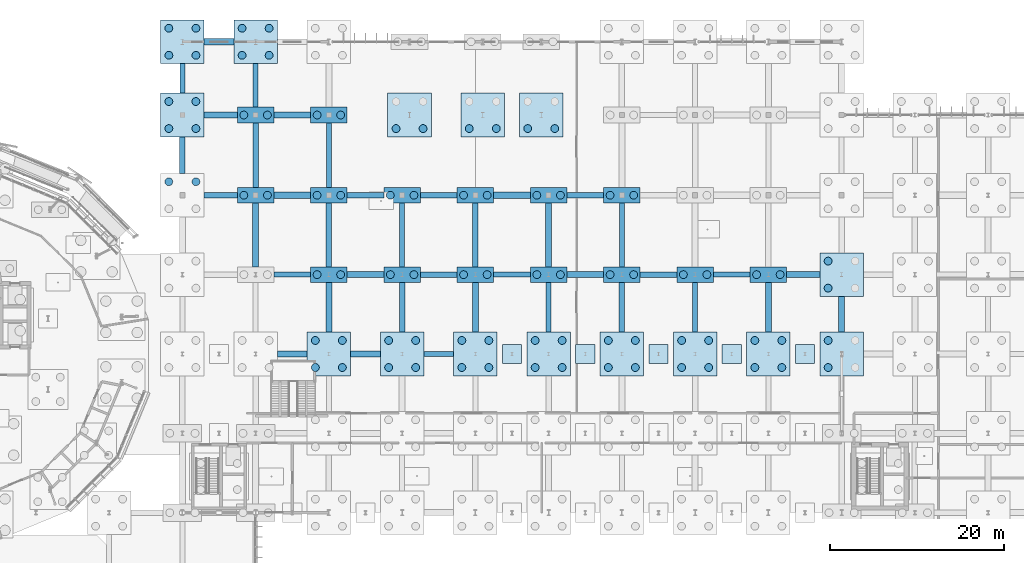
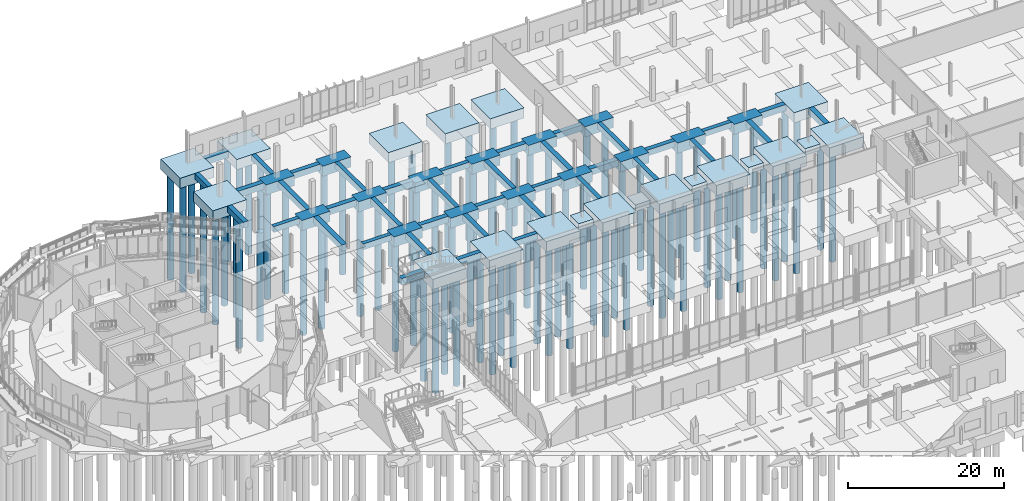
# One storey, part 5 of 119: 82 piles, 74 footings.
"""IFC4 building model written with IfcOpenShell, lengths in metres."""

from ifc_helpers import new_model, si_unit, derived_unit, direction, frame, origin, origin_2d, place, context, subcontext, project, spatial, rectangle, circle, extrude, material, layer, layer_set, material_profile, profile_set, type_object, element, save


model = new_model("IFC4")

# Units and contexts
model_context = context("Model", 3, precision=1e-05, world=origin(), true_north=direction((0.0, 1.0)))
body_context = subcontext(model_context, "Body", "Model", "MODEL_VIEW")
ifc_project = project(units=[si_unit("LENGTHUNIT", "METRE"), si_unit("AREAUNIT", "SQUARE_METRE"), si_unit("VOLUMEUNIT", "CUBIC_METRE"), si_unit("PLANEANGLEUNIT", "RADIAN"), si_unit("MASSUNIT", "GRAM", prefix="KILO"), derived_unit("THERMALTRANSMITTANCEUNIT", [(si_unit("MASSUNIT", "GRAM", prefix="KILO"), 1), (si_unit("TIMEUNIT", "SECOND"), -3), (si_unit("THERMODYNAMICTEMPERATUREUNIT", "KELVIN"), -1)])], contexts=[model_context])

# Site, building, storey
site_placement = place(None, origin())
site = spatial("IfcSite", under=ifc_project, at=site_placement, CompositionType="ELEMENT")
building_placement = place(site_placement, origin())
building = spatial("IfcBuilding", under=site, at=building_placement, Name="Makaiwela Harbour Ferry Terminal", CompositionType="ELEMENT")
storey_placement = place(building_placement, origin())
storey = spatial("IfcBuildingStorey", under=building, at=storey_placement, Name="L00", CompositionType="ELEMENT", Elevation=0.0)

# Footings
ifc_material = material(Name="Concrete f'c 45 MPa (6500 psi)", Category="concrete")
ifc_layer_1 = layer(ifc_material, 1.0)
ifc_layer_set_1 = layer_set([ifc_layer_1], Name="Concrete f'c 45 MPa (6500 psi)")
footing_type_1 = type_object("IfcFootingType", Name="FND-PAD-01", PredefinedType="PAD_FOOTING", material=ifc_layer_set_1)
for number, where, z_axis, x_axis, name in (
    (1, (100.800048828125, 67.60009765625, -1.0), (0.0, 0.0, 1.0), (1.0, 0.0, 0.0), "Foundation Footing PF-01"),
    (2, (109.199951171875, 67.60009765625, -1.0), (0.0, 0.0, 1.0), (1.0, 0.0, 0.0), "Foundation Footing PF-01"),
    (3, (117.60009765625, 67.60009765625, -1.0), (0.0, 0.0, 1.0), (1.0, 0.0, 0.0), "Foundation Footing PF-01"),
    (4, (126.0, 67.60009765625, -1.0), (0.0, 0.0, 1.0), (1.0, 0.0, 0.0), "Foundation Footing PF-01"),
    (5, (134.39990234375, 67.60009765625, -1.0), (0.0, 0.0, 1.0), (1.0, 0.0, 0.0), "Foundation Footing PF-01"),
):
    element("IfcFooting", number, at=place(storey_placement, frame(where, z_axis=z_axis, x_axis=x_axis)), inside=storey, type_object=footing_type_1, Name=name, PredefinedType="PAD_FOOTING", context=body_context, shape_type="SweptSolid", body=[
        extrude(rectangle(XDim=2.199951171875, YDim=2.199951171875, at=origin_2d()), origin(), (0.0, 0.0, 1.0), 1.0),
    ])
ifc_layer_2 = layer(ifc_material, 1.60009765625)
ifc_layer_set_2 = layer_set([ifc_layer_2], Name="Concrete f'c 45 MPa (6500 psi)")
footing_type_2 = type_object("IfcFootingType", Name="FND-PC-01", PredefinedType="PILE_CAP", material=ifc_layer_set_2)
for number, where, z_axis, x_axis, name in (
    (6, (71.39990234375, 85.800048828125, -1.60009765625), (0.0, 0.0, 1.0), (1.0, 0.0, 0.0), "Foundation Footing PC-01"),
    (7, (71.39990234375, 95.0, -1.60009765625), (0.0, 0.0, 1.0), (1.0, 0.0, 0.0), "Foundation Footing PC-01"),
    (8, (79.800048828125, 76.699951171875, -1.60009765625), (0.0, 0.0, 1.0), (1.0, 0.0, 0.0), "Foundation Footing PC-01"),
    (9, (79.800048828125, 85.800048828125, -1.60009765625), (0.0, 0.0, 1.0), (1.0, 0.0, 0.0), "Foundation Footing PC-01"),
    (10, (79.800048828125, 95.0, -1.60009765625), (0.0, 0.0, 1.0), (1.0, 0.0, 0.0), "Foundation Footing PC-01"),
    (11, (88.199951171875, 76.699951171875, -1.60009765625), (0.0, 0.0, 1.0), (1.0, 0.0, 0.0), "Foundation Footing PC-01"),
    (12, (88.199951171875, 85.800048828125, -1.60009765625), (0.0, 0.0, 1.0), (1.0, 0.0, 0.0), "Foundation Footing PC-01"),
    (13, (96.60009765625, 76.699951171875, -1.60009765625), (0.0, 0.0, 1.0), (1.0, 0.0, 0.0), "Foundation Footing PC-01"),
    (14, (96.60009765625, 85.800048828125, -1.60009765625), (0.0, 0.0, 1.0), (1.0, 0.0, 0.0), "Foundation Footing PC-01"),
    (15, (105.0, 76.699951171875, -1.60009765625), (0.0, 0.0, 1.0), (1.0, 0.0, 0.0), "Foundation Footing PC-01"),
    (16, (105.0, 85.800048828125, -1.60009765625), (0.0, 0.0, 1.0), (1.0, 0.0, 0.0), "Foundation Footing PC-01"),
    (17, (113.39990234375, 76.699951171875, -1.60009765625), (0.0, 0.0, 1.0), (1.0, 0.0, 0.0), "Foundation Footing PC-01"),
    (18, (113.39990234375, 85.800048828125, -1.60009765625), (0.0, 0.0, 1.0), (1.0, 0.0, 0.0), "Foundation Footing PC-01"),
    (19, (121.800048828125, 76.699951171875, -1.60009765625), (0.0, 0.0, 1.0), (1.0, 0.0, 0.0), "Foundation Footing PC-01"),
    (20, (130.199951171875, 76.699951171875, -1.60009765625), (0.0, 0.0, 1.0), (1.0, 0.0, 0.0), "Foundation Footing PC-01"),
):
    element("IfcFooting", number, at=place(storey_placement, frame(where, z_axis=z_axis, x_axis=x_axis)), inside=storey, type_object=footing_type_2, Name=name, PredefinedType="PILE_CAP", context=body_context, shape_type="SweptSolid", body=[
        extrude(rectangle(XDim=4.199951171875, YDim=1.800048828125, at=origin_2d()), origin(), (0.0, 0.0, 1.0), 1.60009765625),
    ])
ifc_layer_3 = layer(ifc_material, 1.60009765625)
ifc_layer_set_3 = layer_set([ifc_layer_3], Name="Concrete f'c 45 MPa (6500 psi)")
footing_type_3 = type_object("IfcFootingType", Name="FND-PC-04", PredefinedType="PILE_CAP", material=ifc_layer_set_3)
for number, where, z_axis, x_axis, name in (
    (21, (89.050048828125, 95.0, -1.60009765625), (0.0, 0.0, 1.0), (1.0, 0.0, 0.0), "Foundation Footing PC-04"),
    (22, (97.449951171875, 95.0, -1.60009765625), (0.0, 0.0, 1.0), (1.0, 0.0, 0.0), "Foundation Footing PC-04"),
    (23, (104.14990234375, 95.0, -1.60009765625), (0.0, 0.0, 1.0), (1.0, 0.0, 0.0), "Foundation Footing PC-04"),
    (24, (63.0, 95.0, -1.60009765625), (0.0, 0.0, 1.0), (1.0, 0.0, 0.0), "Foundation Footing PC-04"),
    (25, (63.0, 103.39990234375, -1.60009765625), (0.0, 0.0, 1.0), (1.0, 0.0, 0.0), "Foundation Footing PC-04"),
    (26, (71.39990234375, 103.39990234375, -1.60009765625), (0.0, 0.0, 1.0), (1.0, 0.0, 0.0), "Foundation Footing PC-04"),
    (27, (79.800048828125, 67.60009765625, -1.60009765625), (0.0, 0.0, 1.0), (1.0, 0.0, 0.0), "Foundation Footing PC-04"),
    (28, (88.199951171875, 67.60009765625, -1.60009765625), (0.0, 0.0, 1.0), (1.0, 0.0, 0.0), "Foundation Footing PC-04"),
    (29, (96.60009765625, 67.60009765625, -1.60009765625), (0.0, 0.0, 1.0), (1.0, 0.0, 0.0), "Foundation Footing PC-04"),
    (30, (105.0, 67.60009765625, -1.60009765625), (0.0, 0.0, 1.0), (1.0, 0.0, 0.0), "Foundation Footing PC-04"),
    (31, (113.39990234375, 67.60009765625, -1.60009765625), (0.0, 0.0, 1.0), (1.0, 0.0, 0.0), "Foundation Footing PC-04"),
    (32, (121.800048828125, 67.60009765625, -1.60009765625), (0.0, 0.0, 1.0), (1.0, 0.0, 0.0), "Foundation Footing PC-04"),
    (33, (130.199951171875, 67.60009765625, -1.60009765625), (0.0, 0.0, 1.0), (1.0, 0.0, 0.0), "Foundation Footing PC-04"),
    (34, (138.60009765625, 67.60009765625, -1.60009765625), (0.0, 0.0, 1.0), (1.0, 0.0, 0.0), "Foundation Footing PC-04"),
    (35, (138.60009765625, 76.699951171875, -1.60009765625), (0.0, 0.0, 1.0), (1.0, 0.0, 0.0), "Foundation Footing PC-04"),
):
    element("IfcFooting", number, at=place(storey_placement, frame(where, z_axis=z_axis, x_axis=x_axis)), inside=storey, type_object=footing_type_3, Name=name, PredefinedType="PILE_CAP", context=body_context, shape_type="SweptSolid", body=[
        extrude(rectangle(XDim=5.0, YDim=5.0, at=origin_2d()), origin(), (0.0, 0.0, 1.0), 1.60009765625),
    ])

# Piles
ifc_material_profile = material_profile(ifc_material, circle(Radius=0.449951171875, at=origin_2d()), Name="PILE-D900")
ifc_profile_set = profile_set([ifc_material_profile], Name="Concrete f'c 45 MPa (6500 psi)")
pile_type = type_object("IfcPileType", Name="FND-PIL-D900", PredefinedType="BORED", material=ifc_profile_set)
for number, where, z_axis, x_axis, name in (
    (36, (87.5, 93.449951171875, -1.449951171875), (0.0, 0.0, -1.0), (1.0, 0.0, 0.0), "Marine Pile MP-01"),
    (37, (90.60009765625, 93.449951171875, -1.449951171875), (0.0, 0.0, -1.0), (1.0, 0.0, 0.0), "Marine Pile MP-01"),
    (38, (95.89990234375, 93.449951171875, -1.449951171875), (0.0, 0.0, -1.0), (1.0, 0.0, 0.0), "Marine Pile MP-01"),
    (39, (99.0, 93.449951171875, -1.449951171875), (0.0, 0.0, -1.0), (1.0, 0.0, 0.0), "Marine Pile MP-01"),
    (40, (102.60009765625, 93.449951171875, -1.449951171875), (0.0, 0.0, -1.0), (1.0, 0.0, 0.0), "Marine Pile MP-01"),
    (41, (105.699951171875, 93.449951171875, -1.449951171875), (0.0, 0.0, -1.0), (1.0, 0.0, 0.0), "Marine Pile MP-01"),
    (42, (61.449951171875, 87.35009765625, -1.449951171875), (0.0, 0.0, -1.0), (1.0, 0.0, 0.0), "Marine Pile MP-01"),
    (43, (64.550048828125, 87.35009765625, -1.449951171875), (0.0, 0.0, -1.0), (1.0, 0.0, 0.0), "Marine Pile MP-01"),
    (44, (61.449951171875, 93.449951171875, -1.449951171875), (0.0, 0.0, -1.0), (1.0, 0.0, 0.0), "Marine Pile MP-01"),
    (45, (64.550048828125, 93.449951171875, -1.449951171875), (0.0, 0.0, -1.0), (1.0, 0.0, 0.0), "Marine Pile MP-01"),
    (46, (61.449951171875, 96.550048828125, -1.449951171875), (0.0, 0.0, -1.0), (1.0, 0.0, 0.0), "Marine Pile MP-01"),
    (47, (64.550048828125, 96.550048828125, -1.449951171875), (0.0, 0.0, -1.0), (1.0, 0.0, 0.0), "Marine Pile MP-01"),
    (48, (61.449951171875, 101.85009765625, -1.449951171875), (0.0, 0.0, -1.0), (1.0, 0.0, 0.0), "Marine Pile MP-01"),
    (49, (64.550048828125, 101.85009765625, -1.449951171875), (0.0, 0.0, -1.0), (1.0, 0.0, 0.0), "Marine Pile MP-01"),
    (50, (61.449951171875, 104.949951171875, -1.449951171875), (0.0, 0.0, -1.0), (1.0, 0.0, 0.0), "Marine Pile MP-01"),
    (51, (64.550048828125, 104.949951171875, -1.449951171875), (0.0, 0.0, -1.0), (1.0, 0.0, 0.0), "Marine Pile MP-01"),
    (52, (70.050048828125, 85.800048828125, -1.449951171875), (0.0, 0.0, -1.0), (1.0, 0.0, 0.0), "Marine Pile MP-01"),
    (53, (72.75, 85.800048828125, -1.449951171875), (0.0, 0.0, -1.0), (1.0, 0.0, 0.0), "Marine Pile MP-01"),
    (54, (70.050048828125, 95.0, -1.449951171875), (0.0, 0.0, -1.0), (1.0, 0.0, 0.0), "Marine Pile MP-01"),
    (55, (72.75, 95.0, -1.449951171875), (0.0, 0.0, -1.0), (1.0, 0.0, 0.0), "Marine Pile MP-01"),
    (56, (69.85009765625, 101.85009765625, -1.449951171875), (0.0, 0.0, -1.0), (1.0, 0.0, 0.0), "Marine Pile MP-01"),
    (57, (72.949951171875, 101.85009765625, -1.449951171875), (0.0, 0.0, -1.0), (1.0, 0.0, 0.0), "Marine Pile MP-01"),
    (58, (69.85009765625, 104.949951171875, -1.449951171875), (0.0, 0.0, -1.0), (1.0, 0.0, 0.0), "Marine Pile MP-01"),
    (59, (72.949951171875, 104.949951171875, -1.449951171875), (0.0, 0.0, -1.0), (1.0, 0.0, 0.0), "Marine Pile MP-01"),
    (60, (78.25, 66.050048828125, -1.449951171875), (0.0, 0.0, -1.0), (1.0, 0.0, 0.0), "Marine Pile MP-01"),
    (61, (81.35009765625, 66.050048828125, -1.449951171875), (0.0, 0.0, -1.0), (1.0, 0.0, 0.0), "Marine Pile MP-01"),
    (62, (78.25, 69.14990234375, -1.449951171875), (0.0, 0.0, -1.0), (1.0, 0.0, 0.0), "Marine Pile MP-01"),
    (63, (81.35009765625, 69.14990234375, -1.449951171875), (0.0, 0.0, -1.0), (1.0, 0.0, 0.0), "Marine Pile MP-01"),
    (64, (78.449951171875, 76.699951171875, -1.449951171875), (0.0, 0.0, -1.0), (1.0, 0.0, 0.0), "Marine Pile MP-01"),
    (65, (81.14990234375, 76.699951171875, -1.449951171875), (0.0, 0.0, -1.0), (1.0, 0.0, 0.0), "Marine Pile MP-01"),
    (66, (78.449951171875, 85.800048828125, -1.449951171875), (0.0, 0.0, -1.0), (1.0, 0.0, 0.0), "Marine Pile MP-01"),
    (67, (81.14990234375, 85.800048828125, -1.449951171875), (0.0, 0.0, -1.0), (1.0, 0.0, 0.0), "Marine Pile MP-01"),
    (68, (78.449951171875, 95.0, -1.449951171875), (0.0, 0.0, -1.0), (1.0, 0.0, 0.0), "Marine Pile MP-01"),
    (69, (81.14990234375, 95.0, -1.449951171875), (0.0, 0.0, -1.0), (1.0, 0.0, 0.0), "Marine Pile MP-01"),
    (70, (86.64990234375, 66.050048828125, -1.449951171875), (0.0, 0.0, -1.0), (1.0, 0.0, 0.0), "Marine Pile MP-01"),
    (71, (89.75, 66.050048828125, -1.449951171875), (0.0, 0.0, -1.0), (1.0, 0.0, 0.0), "Marine Pile MP-01"),
    (72, (86.64990234375, 69.14990234375, -1.449951171875), (0.0, 0.0, -1.0), (1.0, 0.0, 0.0), "Marine Pile MP-01"),
    (73, (89.75, 69.14990234375, -1.449951171875), (0.0, 0.0, -1.0), (1.0, 0.0, 0.0), "Marine Pile MP-01"),
    (74, (86.85009765625, 76.699951171875, -1.449951171875), (0.0, 0.0, -1.0), (1.0, 0.0, 0.0), "Marine Pile MP-01"),
    (75, (89.550048828125, 76.699951171875, -1.449951171875), (0.0, 0.0, -1.0), (1.0, 0.0, 0.0), "Marine Pile MP-01"),
    (76, (86.85009765625, 85.800048828125, -1.449951171875), (0.0, 0.0, -1.0), (1.0, 0.0, 0.0), "Marine Pile MP-01"),
    (77, (89.550048828125, 85.800048828125, -1.449951171875), (0.0, 0.0, -1.0), (1.0, 0.0, 0.0), "Marine Pile MP-01"),
    (78, (95.050048828125, 66.050048828125, -1.449951171875), (0.0, 0.0, -1.0), (1.0, 0.0, 0.0), "Marine Pile MP-01"),
    (79, (98.14990234375, 66.050048828125, -1.449951171875), (0.0, 0.0, -1.0), (1.0, 0.0, 0.0), "Marine Pile MP-01"),
    (80, (95.050048828125, 69.14990234375, -1.449951171875), (0.0, 0.0, -1.0), (1.0, 0.0, 0.0), "Marine Pile MP-01"),
    (81, (98.14990234375, 69.14990234375, -1.449951171875), (0.0, 0.0, -1.0), (1.0, 0.0, 0.0), "Marine Pile MP-01"),
    (82, (95.25, 76.699951171875, -1.449951171875), (0.0, 0.0, -1.0), (1.0, 0.0, 0.0), "Marine Pile MP-01"),
    (83, (97.949951171875, 76.699951171875, -1.449951171875), (0.0, 0.0, -1.0), (1.0, 0.0, 0.0), "Marine Pile MP-01"),
    (84, (95.25, 85.800048828125, -1.449951171875), (0.0, 0.0, -1.0), (1.0, 0.0, 0.0), "Marine Pile MP-01"),
    (85, (97.949951171875, 85.800048828125, -1.449951171875), (0.0, 0.0, -1.0), (1.0, 0.0, 0.0), "Marine Pile MP-01"),
    (86, (103.449951171875, 66.050048828125, -1.449951171875), (0.0, 0.0, -1.0), (1.0, 0.0, 0.0), "Marine Pile MP-01"),
    (87, (106.550048828125, 66.050048828125, -1.449951171875), (0.0, 0.0, -1.0), (1.0, 0.0, 0.0), "Marine Pile MP-01"),
    (88, (103.449951171875, 69.14990234375, -1.449951171875), (0.0, 0.0, -1.0), (1.0, 0.0, 0.0), "Marine Pile MP-01"),
    (89, (106.550048828125, 69.14990234375, -1.449951171875), (0.0, 0.0, -1.0), (1.0, 0.0, 0.0), "Marine Pile MP-01"),
    (90, (103.64990234375, 76.699951171875, -1.449951171875), (0.0, 0.0, -1.0), (1.0, 0.0, 0.0), "Marine Pile MP-01"),
    (91, (106.35009765625, 76.699951171875, -1.449951171875), (0.0, 0.0, -1.0), (1.0, 0.0, 0.0), "Marine Pile MP-01"),
    (92, (103.64990234375, 85.800048828125, -1.449951171875), (0.0, 0.0, -1.0), (1.0, 0.0, 0.0), "Marine Pile MP-01"),
    (93, (106.35009765625, 85.800048828125, -1.449951171875), (0.0, 0.0, -1.0), (1.0, 0.0, 0.0), "Marine Pile MP-01"),
    (94, (111.85009765625, 66.050048828125, -1.449951171875), (0.0, 0.0, -1.0), (1.0, 0.0, 0.0), "Marine Pile MP-01"),
    (95, (114.949951171875, 66.050048828125, -1.449951171875), (0.0, 0.0, -1.0), (1.0, 0.0, 0.0), "Marine Pile MP-01"),
    (96, (111.85009765625, 69.14990234375, -1.449951171875), (0.0, 0.0, -1.0), (1.0, 0.0, 0.0), "Marine Pile MP-01"),
    (97, (114.949951171875, 69.14990234375, -1.449951171875), (0.0, 0.0, -1.0), (1.0, 0.0, 0.0), "Marine Pile MP-01"),
    (98, (112.050048828125, 76.699951171875, -1.449951171875), (0.0, 0.0, -1.0), (1.0, 0.0, 0.0), "Marine Pile MP-01"),
    (99, (114.75, 76.699951171875, -1.449951171875), (0.0, 0.0, -1.0), (1.0, 0.0, 0.0), "Marine Pile MP-01"),
    (100, (112.050048828125, 85.800048828125, -1.449951171875), (0.0, 0.0, -1.0), (1.0, 0.0, 0.0), "Marine Pile MP-01"),
    (101, (114.75, 85.800048828125, -1.449951171875), (0.0, 0.0, -1.0), (1.0, 0.0, 0.0), "Marine Pile MP-01"),
    (102, (120.25, 66.050048828125, -1.449951171875), (0.0, 0.0, -1.0), (1.0, 0.0, 0.0), "Marine Pile MP-01"),
    (103, (123.35009765625, 66.050048828125, -1.449951171875), (0.0, 0.0, -1.0), (1.0, 0.0, 0.0), "Marine Pile MP-01"),
    (104, (120.25, 69.14990234375, -1.449951171875), (0.0, 0.0, -1.0), (1.0, 0.0, 0.0), "Marine Pile MP-01"),
    (105, (123.35009765625, 69.14990234375, -1.449951171875), (0.0, 0.0, -1.0), (1.0, 0.0, 0.0), "Marine Pile MP-01"),
    (106, (120.449951171875, 76.699951171875, -1.449951171875), (0.0, 0.0, -1.0), (1.0, 0.0, 0.0), "Marine Pile MP-01"),
    (107, (123.14990234375, 76.699951171875, -1.449951171875), (0.0, 0.0, -1.0), (1.0, 0.0, 0.0), "Marine Pile MP-01"),
    (108, (128.64990234375, 66.050048828125, -1.449951171875), (0.0, 0.0, -1.0), (1.0, 0.0, 0.0), "Marine Pile MP-01"),
    (109, (131.75, 66.050048828125, -1.449951171875), (0.0, 0.0, -1.0), (1.0, 0.0, 0.0), "Marine Pile MP-01"),
    (110, (128.64990234375, 69.14990234375, -1.449951171875), (0.0, 0.0, -1.0), (1.0, 0.0, 0.0), "Marine Pile MP-01"),
    (111, (131.75, 69.14990234375, -1.449951171875), (0.0, 0.0, -1.0), (1.0, 0.0, 0.0), "Marine Pile MP-01"),
    (112, (128.85009765625, 76.699951171875, -1.449951171875), (0.0, 0.0, -1.0), (1.0, 0.0, 0.0), "Marine Pile MP-01"),
    (113, (131.550048828125, 76.699951171875, -1.449951171875), (0.0, 0.0, -1.0), (1.0, 0.0, 0.0), "Marine Pile MP-01"),
    (114, (137.050048828125, 66.050048828125, -1.449951171875), (0.0, 0.0, -1.0), (1.0, 0.0, 0.0), "Marine Pile MP-01"),
    (115, (137.050048828125, 69.14990234375, -1.449951171875), (0.0, 0.0, -1.0), (1.0, 0.0, 0.0), "Marine Pile MP-01"),
    (116, (137.050048828125, 75.14990234375, -1.449951171875), (0.0, 0.0, -1.0), (1.0, 0.0, 0.0), "Marine Pile MP-01"),
    (117, (137.050048828125, 78.25, -1.449951171875), (0.0, 0.0, -1.0), (1.0, 0.0, 0.0), "Marine Pile MP-01"),
):
    element("IfcPile", number, at=place(storey_placement, frame(where, z_axis=z_axis, x_axis=x_axis)), inside=storey, type_object=pile_type, Name=name, PredefinedType="BORED", context=body_context, shape_type="SweptSolid", body=[
        extrude(circle(Radius=0.449951171875, at=origin_2d()), origin(), (0.0, 0.0, 1.0), 17.050048828125),
    ])

# Footings
ifc_layer_4 = layer(ifc_material, 0.89990234375)
ifc_layer_set_4 = layer_set([ifc_layer_4], Name="Concrete f'c 45 MPa (6500 psi)")
footing_type_4 = type_object("IfcFootingType", Name="FND-TB-01", PredefinedType="FOOTING_BEAM", material=ifc_layer_set_4)
footing_1_placement = place(storey_placement, frame((92.39990234375, 67.60009765625, -0.89990234375), z_axis=(0.0, 0.0, 1.0), x_axis=(1.0, 0.0, 0.0)))
element("IfcFooting", 118, at=footing_1_placement, inside=storey, type_object=footing_type_4, Name="Foundation Footing TB-01", PredefinedType="FOOTING_BEAM", context=body_context, shape_type="SweptSolid", body=[
    extrude(rectangle(XDim=3.39990234375, YDim=0.60009765625, at=origin_2d()), origin(), (0.0, 0.0, 1.0), 0.89990234375),
])
for number, where, z_axis, x_axis, name in (
    (119, (75.60009765625, 76.699951171875, -0.89990234375), (0.0, 0.0, 1.0), (1.0, 0.0, 0.0), "Foundation Footing TB-01"),
    (120, (100.800048828125, 76.699951171875, -0.89990234375), (0.0, 0.0, 1.0), (1.0, 0.0, 0.0), "Foundation Footing TB-01"),
    (121, (126.0, 76.699951171875, -0.89990234375), (0.0, 0.0, 1.0), (1.0, 0.0, 0.0), "Foundation Footing TB-01"),
):
    element("IfcFooting", number, at=place(storey_placement, frame(where, z_axis=z_axis, x_axis=x_axis)), inside=storey, type_object=footing_type_4, Name=name, PredefinedType="FOOTING_BEAM", context=body_context, shape_type="SweptSolid", body=[
        extrude(rectangle(XDim=4.199951171875, YDim=0.60009765625, at=origin_2d()), origin(), (0.0, 0.0, 1.0), 0.89990234375),
    ])
footing_2_placement = place(storey_placement, frame((67.39990234375, 85.800048828125, -0.89990234375), z_axis=(0.0, 0.0, 1.0), x_axis=(1.0, 0.0, 0.0)))
element("IfcFooting", 122, at=footing_2_placement, inside=storey, type_object=footing_type_4, Name="Foundation Footing TB-01", PredefinedType="FOOTING_BEAM", context=body_context, shape_type="SweptSolid", body=[
    extrude(rectangle(XDim=3.800048828125, YDim=0.60009765625, at=origin_2d()), origin(), (0.0, 0.0, 1.0), 0.89990234375),
])
footing_3_placement = place(storey_placement, frame((92.39990234375, 85.800048828125, -0.89990234375), z_axis=(0.0, 0.0, 1.0), x_axis=(1.0, 0.0, 0.0)))
element("IfcFooting", 123, at=footing_3_placement, inside=storey, type_object=footing_type_4, Name="Foundation Footing TB-01", PredefinedType="FOOTING_BEAM", context=body_context, shape_type="SweptSolid", body=[
    extrude(rectangle(XDim=4.199951171875, YDim=0.60009765625, at=origin_2d()), origin(), (0.0, 0.0, 1.0), 0.89990234375),
])
footing_4_placement = place(storey_placement, frame((63.0, 99.199951171875, -0.89990234375), z_axis=(0.0, 0.0, 1.0), x_axis=(0.0, 1.0, 0.0)))
element("IfcFooting", 124, at=footing_4_placement, inside=storey, type_object=footing_type_4, Name="Foundation Footing TB-01", PredefinedType="FOOTING_BEAM", context=body_context, shape_type="SweptSolid", body=[
    extrude(rectangle(XDim=3.39990234375, YDim=0.60009765625, at=origin_2d()), origin(), (0.0, 0.0, 1.0), 0.89990234375),
])
footing_5_placement = place(storey_placement, frame((71.39990234375, 98.39990234375, -0.89990234375), z_axis=(0.0, 0.0, 1.0), x_axis=(0.0, 1.0, 0.0)))
element("IfcFooting", 125, at=footing_5_placement, inside=storey, type_object=footing_type_4, Name="Foundation Footing TB-01", PredefinedType="FOOTING_BEAM", context=body_context, shape_type="SweptSolid", body=[
    extrude(rectangle(XDim=5.0, YDim=0.60009765625, at=origin_2d()), origin(), (0.0, 0.0, 1.0), 0.89990234375),
])
footing_6_placement = place(storey_placement, frame((79.800048828125, 90.39990234375, -0.89990234375), z_axis=(0.0, 0.0, 1.0), x_axis=(0.0, 1.0, 0.0)))
element("IfcFooting", 126, at=footing_6_placement, inside=storey, type_object=footing_type_4, Name="Foundation Footing TB-01", PredefinedType="FOOTING_BEAM", context=body_context, shape_type="SweptSolid", body=[
    extrude(rectangle(XDim=7.39990234375, YDim=0.60009765625, at=origin_2d()), origin(), (0.0, 0.0, 1.0), 0.89990234375),
])
footing_7_placement = place(storey_placement, frame((88.199951171875, 81.25, -0.89990234375), z_axis=(0.0, 0.0, 1.0), x_axis=(0.0, 1.0, 0.0)))
element("IfcFooting", 127, at=footing_7_placement, inside=storey, type_object=footing_type_4, Name="Foundation Footing TB-01", PredefinedType="FOOTING_BEAM", context=body_context, shape_type="SweptSolid", body=[
    extrude(rectangle(XDim=7.300048828125, YDim=0.60009765625, at=origin_2d()), origin(), (0.0, 0.0, 1.0), 0.89990234375),
])
footing_8_placement = place(storey_placement, frame((105.0, 72.949951171875, -0.89990234375), z_axis=(0.0, 0.0, 1.0), x_axis=(0.0, 1.0, 0.0)))
element("IfcFooting", 128, at=footing_8_placement, inside=storey, type_object=footing_type_4, Name="Foundation Footing TB-01", PredefinedType="FOOTING_BEAM", context=body_context, shape_type="SweptSolid", body=[
    extrude(rectangle(XDim=5.699951171875, YDim=0.60009765625, at=origin_2d()), origin(), (0.0, 0.0, 1.0), 0.89990234375),
])
footing_9_placement = place(storey_placement, frame((113.39990234375, 81.25, -0.89990234375), z_axis=(0.0, 0.0, 1.0), x_axis=(0.0, 1.0, 0.0)))
element("IfcFooting", 129, at=footing_9_placement, inside=storey, type_object=footing_type_4, Name="Foundation Footing TB-01", PredefinedType="FOOTING_BEAM", context=body_context, shape_type="SweptSolid", body=[
    extrude(rectangle(XDim=7.300048828125, YDim=0.60009765625, at=origin_2d()), origin(), (0.0, 0.0, 1.0), 0.89990234375),
])
footing_10_placement = place(storey_placement, frame((121.800048828125, 72.949951171875, -0.89990234375), z_axis=(0.0, 0.0, 1.0), x_axis=(0.0, 1.0, 0.0)))
element("IfcFooting", 130, at=footing_10_placement, inside=storey, type_object=footing_type_4, Name="Foundation Footing TB-01", PredefinedType="FOOTING_BEAM", context=body_context, shape_type="SweptSolid", body=[
    extrude(rectangle(XDim=5.699951171875, YDim=0.60009765625, at=origin_2d()), origin(), (0.0, 0.0, 1.0), 0.89990234375),
])
ifc_layer_5 = layer(ifc_material, 1.0)
ifc_layer_set_5 = layer_set([ifc_layer_5], Name="Concrete f'c 45 MPa (6500 psi)")
footing_type_5 = type_object("IfcFootingType", Name="FND-TB-02", PredefinedType="FOOTING_BEAM", material=ifc_layer_set_5)
footing_11_placement = place(storey_placement, frame((75.60009765625, 67.60009765625, -1.0), z_axis=(0.0, 0.0, 1.0), x_axis=(1.0, 0.0, 0.0)))
element("IfcFooting", 131, at=footing_11_placement, inside=storey, type_object=footing_type_5, Name="Foundation Footing TB-02", PredefinedType="FOOTING_BEAM", context=body_context, shape_type="SweptSolid", body=[
    extrude(rectangle(XDim=3.39990234375, YDim=0.699951171875, at=origin_2d()), origin(), (0.0, 0.0, 1.0), 1.0),
])
for number, where, z_axis, x_axis, name in (
    (132, (84.0, 76.699951171875, -1.0), (0.0, 0.0, 1.0), (1.0, 0.0, 0.0), "Foundation Footing TB-02"),
    (133, (109.199951171875, 76.699951171875, -1.0), (0.0, 0.0, 1.0), (1.0, 0.0, 0.0), "Foundation Footing TB-02"),
):
    element("IfcFooting", number, at=place(storey_placement, frame(where, z_axis=z_axis, x_axis=x_axis)), inside=storey, type_object=footing_type_5, Name=name, PredefinedType="FOOTING_BEAM", context=body_context, shape_type="SweptSolid", body=[
        extrude(rectangle(XDim=4.199951171875, YDim=0.699951171875, at=origin_2d()), origin(), (0.0, 0.0, 1.0), 1.0),
    ])
footing_12_placement = place(storey_placement, frame((134.199951171875, 76.699951171875, -1.0), z_axis=(0.0, 0.0, 1.0), x_axis=(1.0, 0.0, 0.0)))
element("IfcFooting", 134, at=footing_12_placement, inside=storey, type_object=footing_type_5, Name="Foundation Footing TB-02", PredefinedType="FOOTING_BEAM", context=body_context, shape_type="SweptSolid", body=[
    extrude(rectangle(XDim=3.800048828125, YDim=0.699951171875, at=origin_2d()), origin(), (0.0, 0.0, 1.0), 1.0),
])
for number, where, z_axis, x_axis, name in (
    (135, (75.60009765625, 85.800048828125, -1.0), (0.0, 0.0, 1.0), (1.0, 0.0, 0.0), "Foundation Footing TB-02"),
    (136, (100.800048828125, 85.800048828125, -1.0), (0.0, 0.0, 1.0), (1.0, 0.0, 0.0), "Foundation Footing TB-02"),
):
    element("IfcFooting", number, at=place(storey_placement, frame(where, z_axis=z_axis, x_axis=x_axis)), inside=storey, type_object=footing_type_5, Name=name, PredefinedType="FOOTING_BEAM", context=body_context, shape_type="SweptSolid", body=[
        extrude(rectangle(XDim=4.199951171875, YDim=0.699951171875, at=origin_2d()), origin(), (0.0, 0.0, 1.0), 1.0),
    ])
footing_13_placement = place(storey_placement, frame((67.39990234375, 95.0, -1.0), z_axis=(0.0, 0.0, 1.0), x_axis=(1.0, 0.0, 0.0)))
element("IfcFooting", 137, at=footing_13_placement, inside=storey, type_object=footing_type_5, Name="Foundation Footing TB-02", PredefinedType="FOOTING_BEAM", context=body_context, shape_type="SweptSolid", body=[
    extrude(rectangle(XDim=3.800048828125, YDim=0.699951171875, at=origin_2d()), origin(), (0.0, 0.0, 1.0), 1.0),
])
footing_14_placement = place(storey_placement, frame((67.199951171875, 103.39990234375, -1.0), z_axis=(0.0, 0.0, 1.0), x_axis=(1.0, 0.0, 0.0)))
element("IfcFooting", 138, at=footing_14_placement, inside=storey, type_object=footing_type_5, Name="Foundation Footing TB-02", PredefinedType="FOOTING_BEAM", context=body_context, shape_type="SweptSolid", body=[
    extrude(rectangle(XDim=3.39990234375, YDim=0.699951171875, at=origin_2d()), origin(), (0.0, 0.0, 1.0), 1.0),
])
footing_15_placement = place(storey_placement, frame((71.39990234375, 81.25, -1.0), z_axis=(0.0, 0.0, 1.0), x_axis=(0.0, 1.0, 0.0)))
element("IfcFooting", 139, at=footing_15_placement, inside=storey, type_object=footing_type_5, Name="Foundation Footing TB-02", PredefinedType="FOOTING_BEAM", context=body_context, shape_type="SweptSolid", body=[
    extrude(rectangle(XDim=7.300048828125, YDim=0.699951171875, at=origin_2d()), origin(), (0.0, 0.0, 1.0), 1.0),
])
for number, where, z_axis, x_axis, name in (
    (140, (79.800048828125, 72.949951171875, -1.0), (0.0, 0.0, 1.0), (0.0, 1.0, 0.0), "Foundation Footing TB-02"),
    (141, (96.60009765625, 72.949951171875, -1.0), (0.0, 0.0, 1.0), (0.0, 1.0, 0.0), "Foundation Footing TB-02"),
):
    element("IfcFooting", number, at=place(storey_placement, frame(where, z_axis=z_axis, x_axis=x_axis)), inside=storey, type_object=footing_type_5, Name=name, PredefinedType="FOOTING_BEAM", context=body_context, shape_type="SweptSolid", body=[
        extrude(rectangle(XDim=5.699951171875, YDim=0.699951171875, at=origin_2d()), origin(), (0.0, 0.0, 1.0), 1.0),
    ])
footing_16_placement = place(storey_placement, frame((105.0, 81.25, -1.0), z_axis=(0.0, 0.0, 1.0), x_axis=(0.0, 1.0, 0.0)))
element("IfcFooting", 142, at=footing_16_placement, inside=storey, type_object=footing_type_5, Name="Foundation Footing TB-02", PredefinedType="FOOTING_BEAM", context=body_context, shape_type="SweptSolid", body=[
    extrude(rectangle(XDim=7.300048828125, YDim=0.699951171875, at=origin_2d()), origin(), (0.0, 0.0, 1.0), 1.0),
])
footing_17_placement = place(storey_placement, frame((130.199951171875, 72.949951171875, -1.0), z_axis=(0.0, 0.0, 1.0), x_axis=(0.0, 1.0, 0.0)))
element("IfcFooting", 143, at=footing_17_placement, inside=storey, type_object=footing_type_5, Name="Foundation Footing TB-02", PredefinedType="FOOTING_BEAM", context=body_context, shape_type="SweptSolid", body=[
    extrude(rectangle(XDim=5.699951171875, YDim=0.699951171875, at=origin_2d()), origin(), (0.0, 0.0, 1.0), 1.0),
])
footing_18_placement = place(storey_placement, frame((138.60009765625, 72.14990234375, -1.0), z_axis=(0.0, 0.0, 1.0), x_axis=(0.0, 1.0, 0.0)))
element("IfcFooting", 144, at=footing_18_placement, inside=storey, type_object=footing_type_5, Name="Foundation Footing TB-02", PredefinedType="FOOTING_BEAM", context=body_context, shape_type="SweptSolid", body=[
    extrude(rectangle(XDim=4.10009765625, YDim=0.699951171875, at=origin_2d()), origin(), (0.0, 0.0, 1.0), 1.0),
])
ifc_layer_6 = layer(ifc_material, 0.949951171875)
ifc_layer_set_6 = layer_set([ifc_layer_6], Name="Concrete f'c 45 MPa (6500 psi)")
footing_type_6 = type_object("IfcFootingType", Name="FND-TB-03", PredefinedType="FOOTING_BEAM", material=ifc_layer_set_6)
footing_19_placement = place(storey_placement, frame((84.0, 67.60009765625, -0.9501953125), z_axis=(0.0, 0.0, 1.0), x_axis=(1.0, 0.0, 0.0)))
element("IfcFooting", 145, at=footing_19_placement, inside=storey, type_object=footing_type_6, Name="Foundation Footing TB-03", PredefinedType="FOOTING_BEAM", context=body_context, shape_type="SweptSolid", body=[
    extrude(rectangle(XDim=3.39990234375, YDim=0.64990234375, at=origin_2d()), origin(), (0.0, 0.0, 1.0), 0.949951171875),
])
for number, where, z_axis, x_axis, name in (
    (146, (92.39990234375, 76.699951171875, -0.9501953125), (0.0, 0.0, 1.0), (1.0, 0.0, 0.0), "Foundation Footing TB-03"),
    (147, (117.60009765625, 76.699951171875, -0.9501953125), (0.0, 0.0, 1.0), (1.0, 0.0, 0.0), "Foundation Footing TB-03"),
    (148, (84.0, 85.800048828125, -0.9501953125), (0.0, 0.0, 1.0), (1.0, 0.0, 0.0), "Foundation Footing TB-03"),
    (149, (109.199951171875, 85.800048828125, -0.9501953125), (0.0, 0.0, 1.0), (1.0, 0.0, 0.0), "Foundation Footing TB-03"),
    (150, (75.60009765625, 95.0, -0.9501953125), (0.0, 0.0, 1.0), (1.0, 0.0, 0.0), "Foundation Footing TB-03"),
    (151, (63.0, 90.39990234375, -0.9501953125), (0.0, 0.0, 1.0), (0.0, 1.0, 0.0), "Foundation Footing TB-03"),
):
    element("IfcFooting", number, at=place(storey_placement, frame(where, z_axis=z_axis, x_axis=x_axis)), inside=storey, type_object=footing_type_6, Name=name, PredefinedType="FOOTING_BEAM", context=body_context, shape_type="SweptSolid", body=[
        extrude(rectangle(XDim=4.199951171875, YDim=0.64990234375, at=origin_2d()), origin(), (0.0, 0.0, 1.0), 0.949951171875),
    ])
footing_20_placement = place(storey_placement, frame((71.39990234375, 90.39990234375, -0.9501953125), z_axis=(0.0, 0.0, 1.0), x_axis=(0.0, 1.0, 0.0)))
element("IfcFooting", 152, at=footing_20_placement, inside=storey, type_object=footing_type_6, Name="Foundation Footing TB-03", PredefinedType="FOOTING_BEAM", context=body_context, shape_type="SweptSolid", body=[
    extrude(rectangle(XDim=7.39990234375, YDim=0.64990234375, at=origin_2d()), origin(), (0.0, 0.0, 1.0), 0.949951171875),
])
footing_21_placement = place(storey_placement, frame((79.800048828125, 81.25, -0.9501953125), z_axis=(0.0, 0.0, 1.0), x_axis=(0.0, 1.0, 0.0)))
element("IfcFooting", 153, at=footing_21_placement, inside=storey, type_object=footing_type_6, Name="Foundation Footing TB-03", PredefinedType="FOOTING_BEAM", context=body_context, shape_type="SweptSolid", body=[
    extrude(rectangle(XDim=7.300048828125, YDim=0.64990234375, at=origin_2d()), origin(), (0.0, 0.0, 1.0), 0.949951171875),
])
footing_22_placement = place(storey_placement, frame((88.199951171875, 72.949951171875, -0.9501953125), z_axis=(0.0, 0.0, 1.0), x_axis=(0.0, 1.0, 0.0)))
element("IfcFooting", 154, at=footing_22_placement, inside=storey, type_object=footing_type_6, Name="Foundation Footing TB-03", PredefinedType="FOOTING_BEAM", context=body_context, shape_type="SweptSolid", body=[
    extrude(rectangle(XDim=5.699951171875, YDim=0.64990234375, at=origin_2d()), origin(), (0.0, 0.0, 1.0), 0.949951171875),
])
footing_23_placement = place(storey_placement, frame((96.60009765625, 81.25, -0.9501953125), z_axis=(0.0, 0.0, 1.0), x_axis=(0.0, 1.0, 0.0)))
element("IfcFooting", 155, at=footing_23_placement, inside=storey, type_object=footing_type_6, Name="Foundation Footing TB-03", PredefinedType="FOOTING_BEAM", context=body_context, shape_type="SweptSolid", body=[
    extrude(rectangle(XDim=7.300048828125, YDim=0.64990234375, at=origin_2d()), origin(), (0.0, 0.0, 1.0), 0.949951171875),
])
footing_24_placement = place(storey_placement, frame((113.39990234375, 72.949951171875, -0.9501953125), z_axis=(0.0, 0.0, 1.0), x_axis=(0.0, 1.0, 0.0)))
element("IfcFooting", 156, at=footing_24_placement, inside=storey, type_object=footing_type_6, Name="Foundation Footing TB-03", PredefinedType="FOOTING_BEAM", context=body_context, shape_type="SweptSolid", body=[
    extrude(rectangle(XDim=5.699951171875, YDim=0.64990234375, at=origin_2d()), origin(), (0.0, 0.0, 1.0), 0.949951171875),
])

save(model, "model.ifc")
